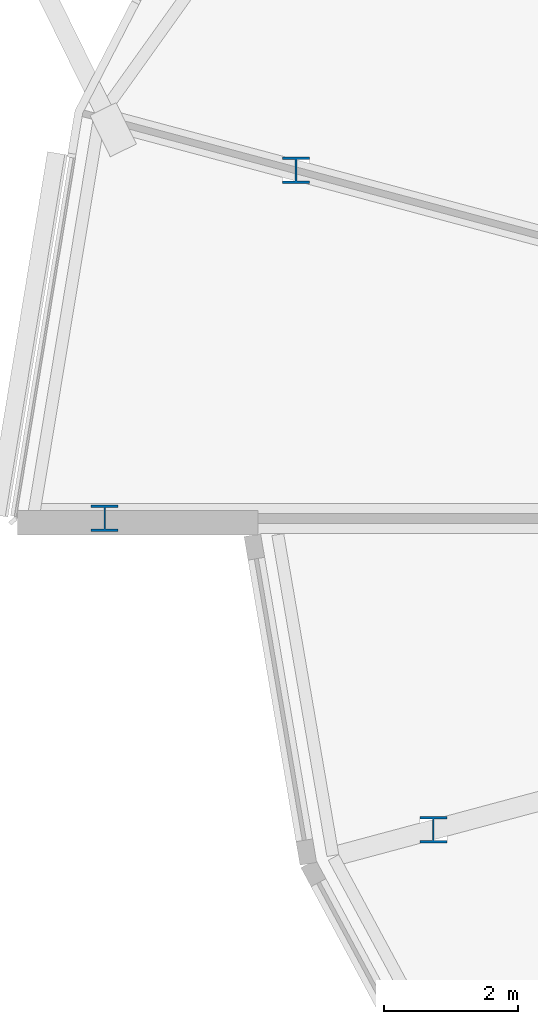
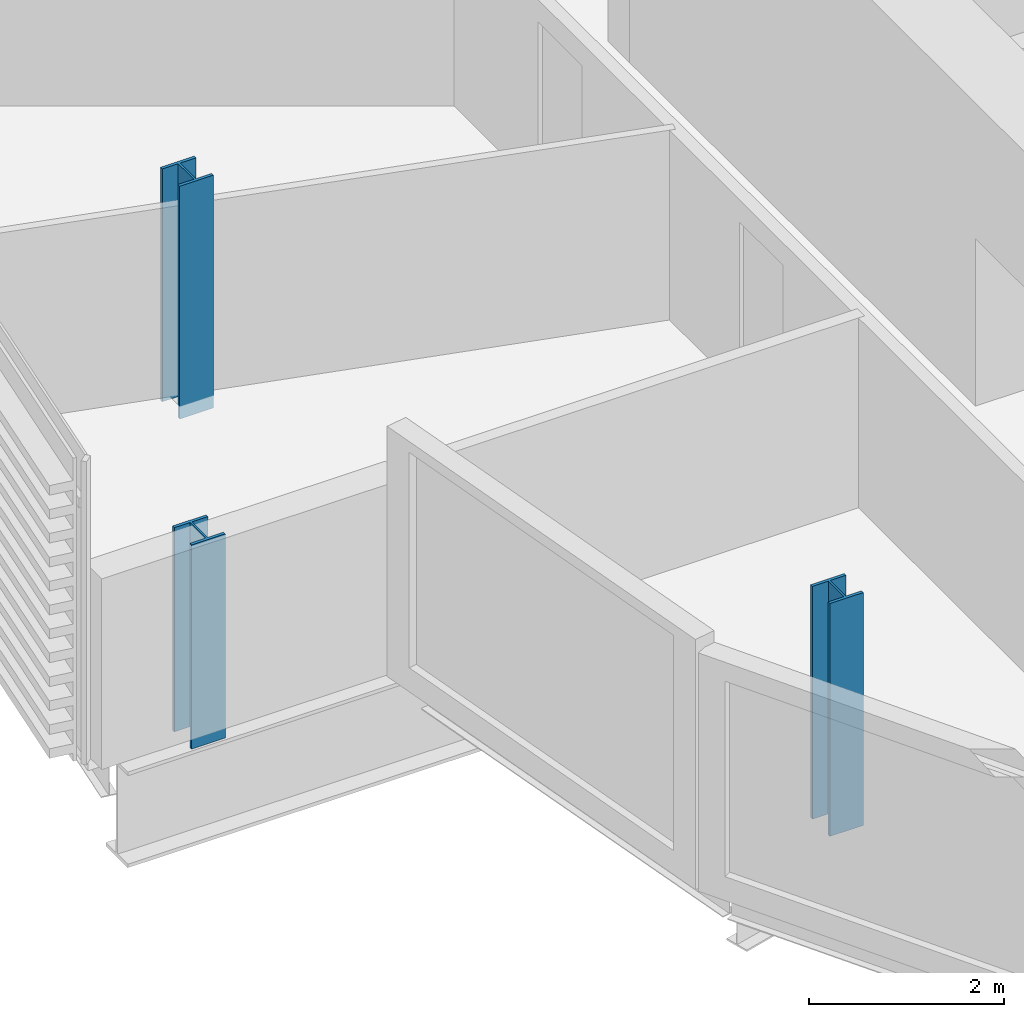
# One storey, part 1 of 38: 3 columns.
"""IFC4 building model written with IfcOpenShell, lengths in metres."""

import ifcopenshell
import ifcopenshell.guid

model = None  # the IFC model being written
_history = None  # IfcOwnerHistory: only IFC2X3 demands one
_inside = {}  # id of a spatial element -> (the spatial element, [elements in it])
_under = {}  # id of a project, library or spatial element -> (it, [spatial elements below it])
_declared = {}  # id of a project -> (the project, [libraries it declares])
_typed = {}  # id of a type object -> (the type object, [elements of that type])
_made_of = {}  # id of a material, layer set ... -> (it, [elements and type objects made of it])


def new_model(schema):
    """Start an empty IFC model of exactly this schema.

    Asked for "IFC4X3", IfcOpenShell would pick the latest addendum, in which some entities
    have other attributes; the version numbers below select the first issue.
    IFC2X3 requires an IfcOwnerHistory on every rooted entity: one is made here for all.
    """
    global model, _history
    if schema == "IFC4X3":
        model = ifcopenshell.file(schema_version=(4, 3, 0, 0))
    else:
        model = ifcopenshell.file(schema=schema)
    _inside.clear()
    _under.clear()
    _declared.clear()
    _typed.clear()
    _made_of.clear()
    _history = None
    if model.schema == "IFC2X3":
        org = make("IfcOrganization", Name="unknown")
        user = make(
            "IfcPersonAndOrganization",
            ThePerson=make("IfcPerson", FamilyName="unknown"),
            TheOrganization=org,
        )
        app = make(
            "IfcApplication",
            ApplicationDeveloper=org,
            Version="unknown",
            ApplicationFullName="unknown",
            ApplicationIdentifier="unknown",
        )
        _history = make(
            "IfcOwnerHistory",
            OwningUser=user,
            OwningApplication=app,
            ChangeAction="ADDED",
            CreationDate=0,
        )
    return model


def make(cls, **values):
    """One entity of the class cls with the attributes given. An attribute that is None is left unset."""
    return model.create_entity(
        cls, **{name: value for name, value in values.items() if value is not None}
    )


def rooted(cls, **values):
    """An entity with a GlobalId (a new one), such as an element, a storey or a relation."""
    return make(cls, GlobalId=ifcopenshell.guid.new(), OwnerHistory=_history, **values)


def si_unit(unit_type, name, prefix=None):
    """IfcSIUnit, for example si_unit("LENGTHUNIT", "METRE", prefix="MILLI")."""
    return make("IfcSIUnit", UnitType=unit_type, Prefix=prefix, Name=name)


def assignment(units):
    """IfcUnitAssignment: the units of a project."""
    return None if units is None else make("IfcUnitAssignment", Units=units)


def point(xyz):
    """IfcCartesianPoint."""
    return None if xyz is None else make("IfcCartesianPoint", Coordinates=xyz)


def direction(xyz):
    """IfcDirection."""
    return None if xyz is None else make("IfcDirection", DirectionRatios=xyz)


def frame(location, z_axis=None, x_axis=None):
    """IfcAxis2Placement3D, a coordinate frame: its origin and axes. An axis left out is left unset."""
    return make(
        "IfcAxis2Placement3D",
        Location=point(location),
        Axis=direction(z_axis),
        RefDirection=direction(x_axis),
    )


def frame_2d(location, x_axis=None):
    """IfcAxis2Placement2D, a coordinate frame in the plane: its origin and x axis."""
    return make(
        "IfcAxis2Placement2D", Location=point(location), RefDirection=direction(x_axis)
    )


def origin():
    """The frame at (0, 0, 0) with its axes left unset."""
    return frame((0.0, 0.0, 0.0))


def origin_2d():
    """The frame at (0, 0) in the plane with its x axis left unset."""
    return frame_2d((0.0, 0.0))


def place(relative_to, where):
    """IfcLocalPlacement: puts the frame where relative to a parent placement (None: the world)."""
    return make(
        "IfcLocalPlacement", PlacementRelTo=relative_to, RelativePlacement=where
    )


def context(
    kind, dimensions, precision=None, world=None, true_north=None, identifier=None
):
    """IfcGeometricRepresentationContext, for example the 3D "Model" context."""
    return make(
        "IfcGeometricRepresentationContext",
        ContextIdentifier=identifier,
        ContextType=kind,
        CoordinateSpaceDimension=dimensions,
        Precision=precision,
        WorldCoordinateSystem=world,
        TrueNorth=true_north,
    )


def subcontext(parent, identifier, kind, view, scale=None):
    """IfcGeometricRepresentationSubContext, for example "Body" below "Model"."""
    return make(
        "IfcGeometricRepresentationSubContext",
        ContextIdentifier=identifier,
        ContextType=kind,
        ParentContext=parent,
        TargetScale=scale,
        TargetView=view,
    )


def project(units=None, contexts=None):
    """IfcProject with its units and contexts."""
    return rooted(
        "IfcProject",
        Name="project",
        RepresentationContexts=contexts,
        UnitsInContext=assignment(units),
    )


def spatial(cls, under=None, at=None, **own):
    """A site, building, storey or space (cls), placed at a placement, below another one or the project."""
    s = rooted(cls, ObjectPlacement=at, **own)
    if under is not None:
        _under.setdefault(under.id(), (under, []))[1].append(s)
    return s


def profile(cls, at=None, kind="AREA", **sizes):
    """A parametric profile (cls). Its sizes go by their IFC names, for example OverallWidth=200.0."""
    return make(cls, ProfileType=kind, Position=at, **sizes)


def i_section(**sizes):
    """IfcIShapeProfileDef."""
    return profile("IfcIShapeProfileDef", **sizes)


def extrude(swept, where, along, depth):
    """IfcExtrudedAreaSolid: the profile swept, set in the frame where, extruded along a direction by depth."""
    return make(
        "IfcExtrudedAreaSolid",
        SweptArea=swept,
        Position=where,
        ExtrudedDirection=direction(along),
        Depth=depth,
    )


def shape(context_of_items, identifier, shape_type, items):
    """IfcShapeRepresentation: the items that make up one representation, for example the "Body"."""
    return make(
        "IfcShapeRepresentation",
        ContextOfItems=context_of_items,
        RepresentationIdentifier=identifier,
        RepresentationType=shape_type,
        Items=items,
    )


def material(Name=None, Category=None):
    """IfcMaterial."""
    return make("IfcMaterial", Name=Name, Category=Category)


def material_profile(
    of_material, cross_section, Name=None, Category=None, Priority=None
):
    """IfcMaterialProfile: a cross section and its material."""
    return make(
        "IfcMaterialProfile",
        Name=Name,
        Material=of_material,
        Profile=cross_section,
        Priority=Priority,
        Category=Category,
    )


def profile_set(profiles, Name=None, composite=None):
    """IfcMaterialProfileSet."""
    return make(
        "IfcMaterialProfileSet",
        Name=Name,
        MaterialProfiles=profiles,
        CompositeProfile=composite,
    )


def made_of(thing, what):
    """Note that an element or type object is made of a material, layer set ...; save() writes the relation."""
    if what is not None:
        _made_of.setdefault(what.id(), (what, []))[1].append(thing)
    return thing


def type_object(cls, material=None, **own):
    """A type object (cls), such as IfcWallType, which elements share."""
    return made_of(rooted(cls, **own), material)


def element(
    cls,
    number,
    at=None,
    inside=None,
    cuts=None,
    type_object=None,
    material=None,
    context=None,
    identifier="Body",
    shape_type=None,
    held_by="IfcProductDefinitionShape",
    body=None,
    shapes=None,
    **own,
):
    """One element of the class cls, such as IfcWall. Its Tag is "e" and its number.

    at: its placement. inside: the storey or other place that contains it. cuts: it is an
    opening in that element (IfcRelVoidsElement). A single representation is given by context,
    identifier, shape_type and body (its items); several are given by shapes. held_by: the class
    of the entity that holds the representations. save() writes the other relations.
    """
    e = rooted(cls, Tag="e%d" % number, ObjectPlacement=at, **own)
    if body is not None:
        shapes = [shape(context, identifier, shape_type, body)]
    if shapes is not None:
        e.Representation = make(held_by, Representations=shapes)
    if inside is not None:
        _inside.setdefault(inside.id(), (inside, []))[1].append(e)
    if cuts is not None:
        rooted(
            "IfcRelVoidsElement", RelatingBuildingElement=cuts, RelatedOpeningElement=e
        )
    if type_object is not None:
        _typed.setdefault(type_object.id(), (type_object, []))[1].append(e)
    return made_of(e, material)


def aggregate(whole, parts):
    """IfcRelAggregates: a whole, such as a stair, and the parts it consists of."""
    return rooted("IfcRelAggregates", RelatingObject=whole, RelatedObjects=parts)


def save(model, path):
    """Write the relations noted so far, then the file.

    IfcRelAggregates (storeys below a building ...), IfcRelContainedInSpatialStructure (elements
    in a storey), IfcRelDefinesByType, IfcRelAssociatesMaterial and IfcRelDeclares: one each for
    every whole, place, type object, material and project.
    """
    for whole, parts in _under.values():
        aggregate(whole, parts)
    for where, things in _inside.values():
        rooted(
            "IfcRelContainedInSpatialStructure",
            RelatedElements=things,
            RelatingStructure=where,
        )
    for kind, things in _typed.values():
        rooted("IfcRelDefinesByType", RelatedObjects=things, RelatingType=kind)
    for what, things in _made_of.values():
        rooted("IfcRelAssociatesMaterial", RelatedObjects=things, RelatingMaterial=what)
    for by, libraries in _declared.values():
        rooted("IfcRelDeclares", RelatingContext=by, RelatedDefinitions=libraries)
    model.write(path)


model = new_model("IFC4")

# Units and contexts
model_context = context("Model", 3, precision=1e-05, world=origin(), true_north=direction((0.0, 1.0)))
body_context = subcontext(model_context, "Body", "Model", "MODEL_VIEW")
ifc_project = project(units=[si_unit("LENGTHUNIT", "METRE"), si_unit("AREAUNIT", "SQUARE_METRE"), si_unit("VOLUMEUNIT", "CUBIC_METRE"), si_unit("PLANEANGLEUNIT", "RADIAN"), si_unit("MASSUNIT", "GRAM", prefix="KILO")], contexts=[model_context])

# Site, building, storey
site_placement = place(None, origin())
site = spatial("IfcSite", under=ifc_project, at=site_placement, CompositionType="ELEMENT")
building_placement = place(site_placement, origin())
building = spatial("IfcBuilding", under=site, at=building_placement, Name="Rimbun Link Towers", CompositionType="ELEMENT")
storey_placement = place(building_placement, frame((0.0, 0.0, 71.800048828125)))
storey = spatial("IfcBuildingStorey", under=building, at=storey_placement, Name="L17", CompositionType="ELEMENT", Elevation=71.800048828125)

# Columns
ifc_material = material(Name="Steel S355J2", Category="steel")
ifc_material_profile = material_profile(ifc_material, i_section(OverallWidth=0.39892578125, OverallDepth=0.3935546875, WebThickness=0.022705078125, FlangeThickness=0.03662109375, at=origin_2d()), Name="UC 356x406x287")
ifc_profile_set = profile_set([ifc_material_profile], Name="Steel S355J2")
column_type = type_object("IfcColumnType", Name="UC 356x406x287", PredefinedType="COLUMN", material=ifc_profile_set)
column_1_placement = place(storey_placement, frame((-51.07861328125, 5.17919921875, -0.16015625), z_axis=(0.0, 0.0, 1.0), x_axis=(1.0, 0.0, 0.0)))
element("IfcColumn", 1, at=column_1_placement, inside=storey, type_object=column_type, Name="Crease post T1 L17 11", PredefinedType="COLUMN", context=body_context, shape_type="SweptSolid", body=[
    extrude(i_section(OverallWidth=0.39892578125, OverallDepth=0.3935546875, WebThickness=0.022705078125, FlangeThickness=0.03662109375, at=origin_2d()), origin(), (0.0, 0.0, 1.0), 2.91943359375),
])
column_2_placement = place(storey_placement, frame((-53.927734375, 0.0, -0.16015625), z_axis=(0.0, 0.0, 1.0), x_axis=(1.0, 0.0, 0.0)))
element("IfcColumn", 2, at=column_2_placement, inside=storey, type_object=column_type, Name="Crease post T1 L17 12", PredefinedType="COLUMN", context=body_context, shape_type="SweptSolid", body=[
    extrude(i_section(OverallWidth=0.39892578125, OverallDepth=0.3935546875, WebThickness=0.022705078125, FlangeThickness=0.03662109375, at=origin_2d()), origin(), (0.0, 0.0, 1.0), 2.56005859375),
])
column_3_placement = place(storey_placement, frame((-49.033935546875, -4.631103515625, -0.16015625), z_axis=(0.0, 0.0, 1.0), x_axis=(1.0, 0.0, 0.0)))
element("IfcColumn", 3, at=column_3_placement, inside=storey, type_object=column_type, Name="Crease post T1 L17 13", PredefinedType="COLUMN", context=body_context, shape_type="SweptSolid", body=[
    extrude(i_section(OverallWidth=0.39892578125, OverallDepth=0.3935546875, WebThickness=0.022705078125, FlangeThickness=0.03662109375, at=origin_2d()), origin(), (0.0, 0.0, 1.0), 2.91943359375),
])

save(model, "model.ifc")
